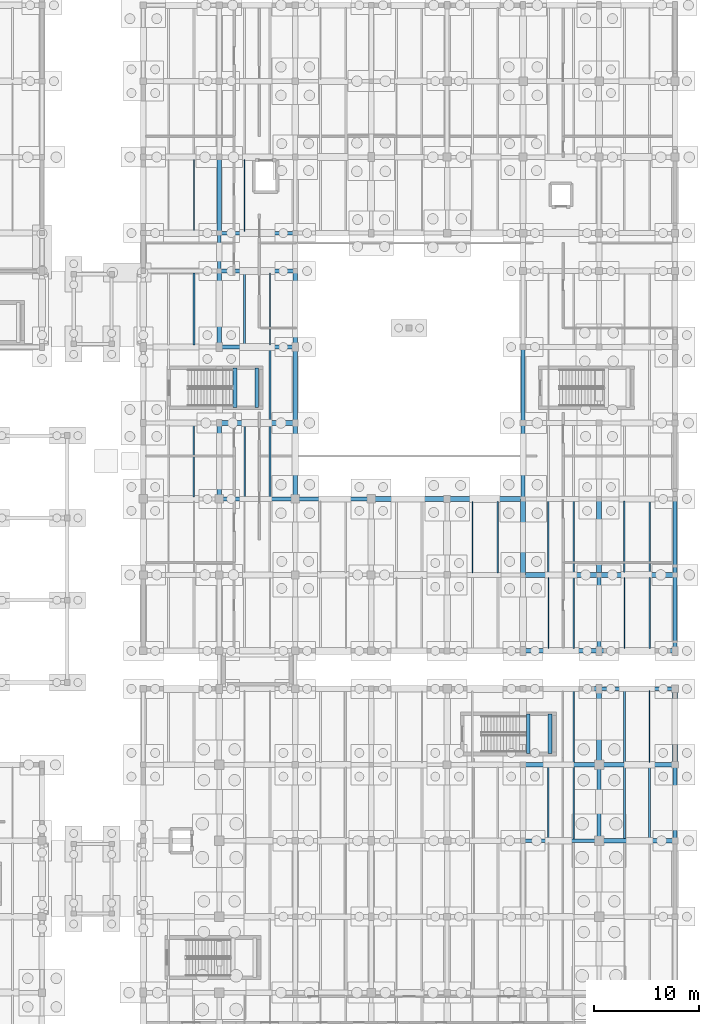
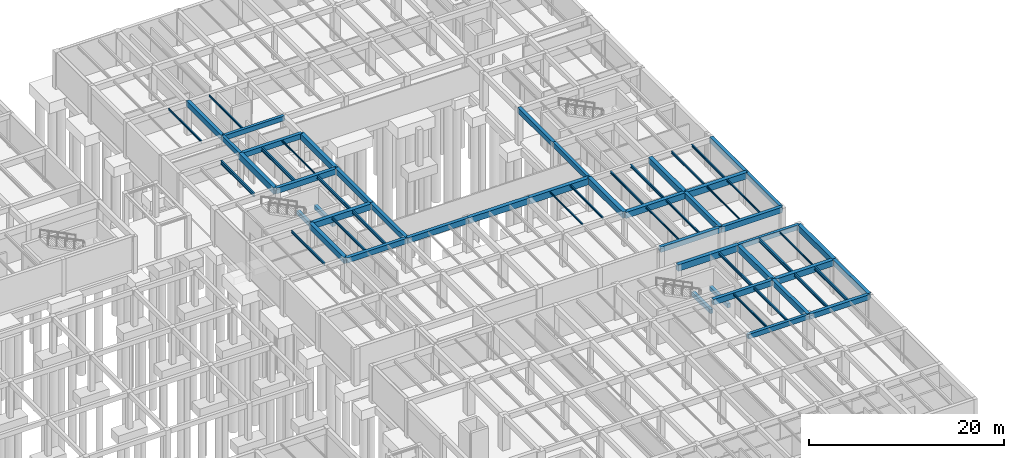
# One storey, part 36 of 63: 66 beams.
"""IFC4 building model written with IfcOpenShell, lengths in metres."""

from ifc_helpers import new_model, si_unit, direction, frame, origin, origin_2d, place, context, subcontext, project, spatial, rectangle, i_section, extrude, material, material_profile, profile_set, type_object, element, save


model = new_model("IFC4")

# Units and contexts
model_context = context("Model", 3, precision=1e-05, world=origin(), true_north=direction((0.0, 1.0)))
body_context = subcontext(model_context, "Body", "Model", "MODEL_VIEW")
ifc_project = project(units=[si_unit("LENGTHUNIT", "METRE"), si_unit("AREAUNIT", "SQUARE_METRE"), si_unit("VOLUMEUNIT", "CUBIC_METRE"), si_unit("PLANEANGLEUNIT", "RADIAN"), si_unit("MASSUNIT", "GRAM", prefix="KILO")], contexts=[model_context])

# Site, building, storey
site_placement = place(None, origin())
site = spatial("IfcSite", under=ifc_project, at=site_placement, CompositionType="ELEMENT")
building_placement = place(site_placement, origin())
building = spatial("IfcBuilding", under=site, at=building_placement, Name="Mazaris Harbour Polytechnic", CompositionType="ELEMENT")
storey_placement = place(building_placement, frame((0.0, 0.0, -4.5)))
storey = spatial("IfcBuildingStorey", under=building, at=storey_placement, Name="B1", CompositionType="ELEMENT", Elevation=-4.5)

# Beams
ifc_material_1 = material(Name="Concrete C35/45", Category="concrete")
ifc_material_profile_1 = material_profile(ifc_material_1, rectangle(XDim=0.35009765625, YDim=0.60009765625, at=origin_2d()), Name="RECT350x600")
ifc_profile_set_1 = profile_set([ifc_material_profile_1], Name="Concrete C35/45")
beam_type_1 = type_object("IfcBeamType", Name="RC Girder 350x600", PredefinedType="BEAM", material=ifc_profile_set_1)
beam_1_placement = place(storey_placement, frame((158.39990234375, 28.800048828125, 3.8798828125), z_axis=(1.0, 0.0, 0.0), x_axis=(0.0, 1.0, 0.0)))
element("IfcBeam", 1, at=beam_1_placement, inside=storey, type_object=beam_type_1, Name="V2 B1 Girder 305", PredefinedType="BEAM", context=body_context, shape_type="SweptSolid", body=[
    extrude(rectangle(XDim=0.35009765625, YDim=0.60009765625, at=origin_2d()), origin(), (0.0, 0.0, 1.0), 7.2001953125),
])
beam_2_placement = place(storey_placement, frame((129.60009765625, 86.39990234375, 3.8798828125), z_axis=(1.0, 0.0, 0.0), x_axis=(0.0, 1.0, 0.0)))
element("IfcBeam", 2, at=beam_2_placement, inside=storey, type_object=beam_type_1, Name="V5 B1 Girder 2520", PredefinedType="BEAM", context=body_context, shape_type="SweptSolid", body=[
    extrude(rectangle(XDim=0.35009765625, YDim=0.60009765625, at=origin_2d()), origin(), (0.0, 0.0, 1.0), 7.199951171875),
])
beam_3_placement = place(storey_placement, frame((129.60009765625, 82.800048828125, 3.8798828125), z_axis=(0.0, 1.0, 0.0), x_axis=(-1.0, 0.0, 0.0)))
element("IfcBeam", 3, at=beam_3_placement, inside=storey, type_object=beam_type_1, Name="V5 B1 Tie Girder 2560", PredefinedType="BEAM", context=body_context, shape_type="SweptSolid", body=[
    extrude(rectangle(XDim=0.35009765625, YDim=0.60009765625, at=origin_2d()), origin(), (0.0, 0.0, 1.0), 3.599853515625),
])
beam_4_placement = place(storey_placement, frame((158.39990234375, 61.199951171875, 3.8798828125), z_axis=(0.0, 1.0, 0.0), x_axis=(-1.0, 0.0, 0.0)))
element("IfcBeam", 4, at=beam_4_placement, inside=storey, type_object=beam_type_1, Name="V5 B1 Tie Girder 2585", PredefinedType="BEAM", context=body_context, shape_type="SweptSolid", body=[
    extrude(rectangle(XDim=0.35009765625, YDim=0.60009765625, at=origin_2d()), origin(), (0.0, 0.0, 1.0), 7.199951171875),
])
ifc_material_2 = material(Name="Concrete C35/45", Category="concrete")
ifc_material_profile_2 = material_profile(ifc_material_2, rectangle(XDim=0.35009765625, YDim=0.60009765625, at=origin_2d()), Name="RECT350x600")
ifc_profile_set_2 = profile_set([ifc_material_profile_2], Name="Concrete C35/45")
beam_type_2 = type_object("IfcBeamType", Name="RC Girder 350x600 Exterior", PredefinedType="BEAM", material=ifc_profile_set_2)
for number, where, z_axis, x_axis, name in (
    (5, (165.60009765625, 43.199951171875, 3.8798828125), (1.0, 0.0, 0.0), (0.0, 1.0, 0.0), "V2 B1 Girder 320"),
    (6, (172.800048828125, 46.800048828125, 3.8798828125), (0.0, 1.0, 0.0), (-1.0, 0.0, 0.0), "V5 B1 Tie Girder 2600"),
):
    element("IfcBeam", number, at=place(storey_placement, frame(where, z_axis=z_axis, x_axis=x_axis)), inside=storey, type_object=beam_type_2, Name=name, PredefinedType="BEAM", context=body_context, shape_type="SweptSolid", body=[
        extrude(rectangle(XDim=0.35009765625, YDim=0.60009765625, at=origin_2d()), origin(), (0.0, 0.0, 1.0), 7.199951171875),
    ])
ifc_material_3 = material(Name="Concrete C35/45", Category="concrete")
ifc_material_profile_3 = material_profile(ifc_material_3, rectangle(XDim=0.39990234375, YDim=0.64990234375, at=origin_2d()), Name="RECT400x650")
ifc_profile_set_3 = profile_set([ifc_material_profile_3], Name="Concrete C35/45")
beam_type_3 = type_object("IfcBeamType", Name="RC Girder 400x650", PredefinedType="BEAM", material=ifc_profile_set_3)
for number, where, z_axis, x_axis, name in (
    (7, (165.60009765625, 28.800048828125, 3.85498046875), (1.0, 0.0, 0.0), (0.0, 1.0, 0.0), "V2 B1 Girder 306"),
    (8, (129.60009765625, 61.199951171875, 3.85498046875), (1.0, 0.0, 0.0), (0.0, 1.0, 0.0), "V5 B1 Girder 2501"),
    (9, (129.60009765625, 82.800048828125, 3.85498046875), (1.0, 0.0, 0.0), (0.0, 1.0, 0.0), "V5 B1 Girder 2516"),
):
    element("IfcBeam", number, at=place(storey_placement, frame(where, z_axis=z_axis, x_axis=x_axis)), inside=storey, type_object=beam_type_3, Name=name, PredefinedType="BEAM", context=body_context, shape_type="SweptSolid", body=[
        extrude(rectangle(XDim=0.39990234375, YDim=0.64990234375, at=origin_2d()), origin(), (0.0, 0.0, 1.0), 7.199951171875),
    ])
beam_5_placement = place(storey_placement, frame((129.60009765625, 86.39990234375, 3.85498046875), z_axis=(0.0, 1.0, 0.0), x_axis=(-1.0, 0.0, 0.0)))
element("IfcBeam", 10, at=beam_5_placement, inside=storey, type_object=beam_type_3, Name="V5 B1 Tie Girder 2561", PredefinedType="BEAM", context=body_context, shape_type="SweptSolid", body=[
    extrude(rectangle(XDim=0.39990234375, YDim=0.64990234375, at=origin_2d()), origin(), (0.0, 0.0, 1.0), 7.2001953125),
])
beam_6_placement = place(storey_placement, frame((136.800048828125, 61.199951171875, 3.85498046875), z_axis=(0.0, 1.0, 0.0), x_axis=(-1.0, 0.0, 0.0)))
element("IfcBeam", 11, at=beam_6_placement, inside=storey, type_object=beam_type_3, Name="V5 B1 Tie Girder 2566", PredefinedType="BEAM", context=body_context, shape_type="SweptSolid", body=[
    extrude(rectangle(XDim=0.39990234375, YDim=0.64990234375, at=origin_2d()), origin(), (0.0, 0.0, 1.0), 7.199951171875),
])
beam_7_placement = place(storey_placement, frame((158.39990234375, 68.39990234375, 3.85498046875), z_axis=(0.0, 1.0, 0.0), x_axis=(-1.0, 0.0, 0.0)))
element("IfcBeam", 12, at=beam_7_placement, inside=storey, type_object=beam_type_3, Name="V5 B1 Tie Girder 2586", PredefinedType="BEAM", context=body_context, shape_type="SweptSolid", body=[
    extrude(rectangle(XDim=0.39990234375, YDim=0.64990234375, at=origin_2d()), origin(), (0.0, 0.0, 1.0), 7.2001953125),
])
ifc_material_4 = material(Name="Concrete C35/45", Category="concrete")
ifc_material_profile_4 = material_profile(ifc_material_4, rectangle(XDim=0.39990234375, YDim=0.64990234375, at=origin_2d()), Name="RECT400x650")
ifc_profile_set_4 = profile_set([ifc_material_profile_4], Name="Concrete C35/45")
beam_type_4 = type_object("IfcBeamType", Name="RC Girder 400x650 Exterior", PredefinedType="BEAM", material=ifc_profile_set_4)
beam_8_placement = place(storey_placement, frame((158.39990234375, 46.800048828125, 3.85498046875), z_axis=(1.0, 0.0, 0.0), x_axis=(0.0, 1.0, 0.0)))
element("IfcBeam", 13, at=beam_8_placement, inside=storey, type_object=beam_type_4, Name="V5 B1 Girder 2491", PredefinedType="BEAM", context=body_context, shape_type="SweptSolid", body=[
    extrude(rectangle(XDim=0.39990234375, YDim=0.64990234375, at=origin_2d()), origin(), (0.0, 0.0, 1.0), 7.2001953125),
])
beam_9_placement = place(storey_placement, frame((172.800048828125, 54.0, 3.85498046875), z_axis=(0.0, 1.0, 0.0), x_axis=(-1.0, 0.0, 0.0)))
element("IfcBeam", 14, at=beam_9_placement, inside=storey, type_object=beam_type_4, Name="V5 B1 Tie Girder 2601", PredefinedType="BEAM", context=body_context, shape_type="SweptSolid", body=[
    extrude(rectangle(XDim=0.39990234375, YDim=0.64990234375, at=origin_2d()), origin(), (0.0, 0.0, 1.0), 7.199951171875),
])
ifc_material_5 = material(Name="Concrete C35/45", Category="concrete")
ifc_material_profile_5 = material_profile(ifc_material_5, rectangle(XDim=0.39990234375, YDim=0.699951171875, at=origin_2d()), Name="RECT400x700")
ifc_profile_set_5 = profile_set([ifc_material_profile_5], Name="Concrete C35/45")
beam_type_5 = type_object("IfcBeamType", Name="RC Girder 400x700", PredefinedType="BEAM", material=ifc_profile_set_5)
beam_10_placement = place(storey_placement, frame((158.39990234375, 36.0, 3.830078125), z_axis=(1.0, 0.0, 0.0), x_axis=(0.0, 1.0, 0.0)))
element("IfcBeam", 15, at=beam_10_placement, inside=storey, type_object=beam_type_5, Name="V2 B1 Girder 312", PredefinedType="BEAM", context=body_context, shape_type="SweptSolid", body=[
    extrude(rectangle(XDim=0.39990234375, YDim=0.699951171875, at=origin_2d()), origin(), (0.0, 0.0, 1.0), 7.2001953125),
])
for number, where, z_axis, x_axis, name in (
    (16, (165.60009765625, 28.800048828125, 3.830078125), (0.0, 1.0, 0.0), (-1.0, 0.0, 0.0), "V2 B1 Tie Girder 352"),
    (17, (136.800048828125, 61.199951171875, 3.830078125), (1.0, 0.0, 0.0), (0.0, 1.0, 0.0), "V5 B1 Girder 2502"),
    (18, (129.60009765625, 75.60009765625, 3.830078125), (1.0, 0.0, 0.0), (0.0, 1.0, 0.0), "V5 B1 Girder 2512"),
):
    element("IfcBeam", number, at=place(storey_placement, frame(where, z_axis=z_axis, x_axis=x_axis)), inside=storey, type_object=beam_type_5, Name=name, PredefinedType="BEAM", context=body_context, shape_type="SweptSolid", body=[
        extrude(rectangle(XDim=0.39990234375, YDim=0.699951171875, at=origin_2d()), origin(), (0.0, 0.0, 1.0), 7.199951171875),
    ])
beam_11_placement = place(storey_placement, frame((136.800048828125, 68.39990234375, 3.830078125), z_axis=(0.0, 1.0, 0.0), x_axis=(-1.0, 0.0, 0.0)))
element("IfcBeam", 19, at=beam_11_placement, inside=storey, type_object=beam_type_5, Name="V5 B1 Tie Girder 2567", PredefinedType="BEAM", context=body_context, shape_type="SweptSolid", body=[
    extrude(rectangle(XDim=0.39990234375, YDim=0.699951171875, at=origin_2d()), origin(), (0.0, 0.0, 1.0), 7.2001953125),
])
beam_12_placement = place(storey_placement, frame((165.60009765625, 46.800048828125, 3.830078125), z_axis=(0.0, 1.0, 0.0), x_axis=(-1.0, 0.0, 0.0)))
element("IfcBeam", 20, at=beam_12_placement, inside=storey, type_object=beam_type_5, Name="V5 B1 Tie Girder 2592", PredefinedType="BEAM", context=body_context, shape_type="SweptSolid", body=[
    extrude(rectangle(XDim=0.39990234375, YDim=0.699951171875, at=origin_2d()), origin(), (0.0, 0.0, 1.0), 7.199951171875),
])
ifc_material_6 = material(Name="Concrete C35/45", Category="concrete")
ifc_material_profile_6 = material_profile(ifc_material_6, rectangle(XDim=0.39990234375, YDim=0.699951171875, at=origin_2d()), Name="RECT400x700")
ifc_profile_set_6 = profile_set([ifc_material_profile_6], Name="Concrete C35/45")
beam_type_6 = type_object("IfcBeamType", Name="RC Girder 400x700 Exterior", PredefinedType="BEAM", material=ifc_profile_set_6)
for number, where, z_axis, x_axis, name in (
    (21, (172.800048828125, 28.800048828125, 3.830078125), (0.0, 1.0, 0.0), (-1.0, 0.0, 0.0), "V2 B1 Tie Girder 357"),
    (22, (165.60009765625, 46.800048828125, 3.830078125), (1.0, 0.0, 0.0), (0.0, 1.0, 0.0), "V5 B1 Girder 2492"),
):
    element("IfcBeam", number, at=place(storey_placement, frame(where, z_axis=z_axis, x_axis=x_axis)), inside=storey, type_object=beam_type_6, Name=name, PredefinedType="BEAM", context=body_context, shape_type="SweptSolid", body=[
        extrude(rectangle(XDim=0.39990234375, YDim=0.699951171875, at=origin_2d()), origin(), (0.0, 0.0, 1.0), 7.199951171875),
    ])
ifc_material_7 = material(Name="Concrete C40/50", Category="concrete")
ifc_material_profile_7 = material_profile(ifc_material_7, rectangle(XDim=0.449951171875, YDim=0.75, at=origin_2d()), Name="RECT450x750")
ifc_profile_set_7 = profile_set([ifc_material_profile_7], Name="Concrete C40/50")
beam_type_7 = type_object("IfcBeamType", Name="RC Girder 450x750", PredefinedType="BEAM", material=ifc_profile_set_7)
for number, where, z_axis, x_axis, name in (
    (23, (165.60009765625, 36.0, 3.804931640625), (1.0, 0.0, 0.0), (0.0, 1.0, 0.0), "V2 B1 Girder 313"),
    (24, (165.60009765625, 36.0, 3.804931640625), (0.0, 1.0, 0.0), (-1.0, 0.0, 0.0), "V2 B1 Tie Girder 353"),
):
    element("IfcBeam", number, at=place(storey_placement, frame(where, z_axis=z_axis, x_axis=x_axis)), inside=storey, type_object=beam_type_7, Name=name, PredefinedType="BEAM", context=body_context, shape_type="SweptSolid", body=[
        extrude(rectangle(XDim=0.449951171875, YDim=0.75, at=origin_2d()), origin(), (0.0, 0.0, 1.0), 7.199951171875),
    ])
beam_13_placement = place(storey_placement, frame((158.39990234375, 54.0, 3.804931640625), z_axis=(1.0, 0.0, 0.0), x_axis=(0.0, 1.0, 0.0)))
element("IfcBeam", 25, at=beam_13_placement, inside=storey, type_object=beam_type_7, Name="V5 B1 Girder 2498", PredefinedType="BEAM", context=body_context, shape_type="SweptSolid", body=[
    extrude(rectangle(XDim=0.449951171875, YDim=0.75, at=origin_2d()), origin(), (0.0, 0.0, 1.0), 7.2001953125),
])
for number, where, z_axis, x_axis, name in (
    (26, (144.0, 61.199951171875, 3.804931640625), (1.0, 0.0, 0.0), (0.0, 1.0, 0.0), "V5 B1 Girder 2503"),
    (27, (129.60009765625, 68.39990234375, 3.804931640625), (1.0, 0.0, 0.0), (0.0, 1.0, 0.0), "V5 B1 Girder 2508"),
    (28, (129.60009765625, 61.199951171875, 3.804931640625), (0.0, 1.0, 0.0), (-1.0, 0.0, 0.0), "V5 B1 Tie Girder 2558"),
    (29, (136.800048828125, 75.60009765625, 3.804931640625), (0.0, 1.0, 0.0), (-1.0, 0.0, 0.0), "V5 B1 Tie Girder 2568"),
    (30, (165.60009765625, 54.0, 3.804931640625), (0.0, 1.0, 0.0), (-1.0, 0.0, 0.0), "V5 B1 Tie Girder 2593"),
):
    element("IfcBeam", number, at=place(storey_placement, frame(where, z_axis=z_axis, x_axis=x_axis)), inside=storey, type_object=beam_type_7, Name=name, PredefinedType="BEAM", context=body_context, shape_type="SweptSolid", body=[
        extrude(rectangle(XDim=0.449951171875, YDim=0.75, at=origin_2d()), origin(), (0.0, 0.0, 1.0), 7.199951171875),
    ])
ifc_material_8 = material(Name="Concrete C40/50", Category="concrete")
ifc_material_profile_8 = material_profile(ifc_material_8, rectangle(XDim=0.449951171875, YDim=0.75, at=origin_2d()), Name="RECT450x750")
ifc_profile_set_8 = profile_set([ifc_material_profile_8], Name="Concrete C40/50")
beam_type_8 = type_object("IfcBeamType", Name="RC Girder 450x750 Exterior", PredefinedType="BEAM", material=ifc_profile_set_8)
beam_14_placement = place(storey_placement, frame((172.800048828125, 36.0, 3.804931640625), z_axis=(0.0, 1.0, 0.0), x_axis=(-1.0, 0.0, 0.0)))
element("IfcBeam", 31, at=beam_14_placement, inside=storey, type_object=beam_type_8, Name="V2 B1 Tie Girder 358", PredefinedType="BEAM", context=body_context, shape_type="SweptSolid", body=[
    extrude(rectangle(XDim=0.449951171875, YDim=0.75, at=origin_2d()), origin(), (0.0, 0.0, 1.0), 7.199951171875),
])
ifc_material_9 = material(Name="Concrete C40/50", Category="concrete")
ifc_material_profile_9 = material_profile(ifc_material_9, rectangle(XDim=0.449951171875, YDim=0.800048828125, at=origin_2d()), Name="RECT450x800")
ifc_profile_set_9 = profile_set([ifc_material_profile_9], Name="Concrete C40/50")
beam_type_9 = type_object("IfcBeamType", Name="RC Girder 450x800", PredefinedType="BEAM", material=ifc_profile_set_9)
for number, where, z_axis, x_axis, name in (
    (32, (165.60009765625, 54.0, 3.780029296875), (1.0, 0.0, 0.0), (0.0, 1.0, 0.0), "V5 B1 Girder 2499"),
    (33, (151.199951171875, 61.199951171875, 3.780029296875), (1.0, 0.0, 0.0), (0.0, 1.0, 0.0), "V5 B1 Girder 2504"),
    (34, (129.60009765625, 75.60009765625, 3.780029296875), (0.0, 1.0, 0.0), (-1.0, 0.0, 0.0), "V5 B1 Tie Girder 2559"),
    (35, (158.39990234375, 54.0, 3.780029296875), (0.0, 1.0, 0.0), (-1.0, 0.0, 0.0), "V5 B1 Tie Girder 2584"),
):
    element("IfcBeam", number, at=place(storey_placement, frame(where, z_axis=z_axis, x_axis=x_axis)), inside=storey, type_object=beam_type_9, Name=name, PredefinedType="BEAM", context=body_context, shape_type="SweptSolid", body=[
        extrude(rectangle(XDim=0.449951171875, YDim=0.800048828125, at=origin_2d()), origin(), (0.0, 0.0, 1.0), 7.199951171875),
    ])
ifc_material_10 = material(Name="Concrete C40/50", Category="concrete")
ifc_material_profile_10 = material_profile(ifc_material_10, rectangle(XDim=0.449951171875, YDim=0.800048828125, at=origin_2d()), Name="RECT450x800")
ifc_profile_set_10 = profile_set([ifc_material_profile_10], Name="Concrete C40/50")
beam_type_10 = type_object("IfcBeamType", Name="RC Girder 450x800 Exterior", PredefinedType="BEAM", material=ifc_profile_set_10)
beam_15_placement = place(storey_placement, frame((158.39990234375, 43.199951171875, 3.780029296875), z_axis=(1.0, 0.0, 0.0), x_axis=(0.0, 1.0, 0.0)))
element("IfcBeam", 36, at=beam_15_placement, inside=storey, type_object=beam_type_10, Name="V2 B1 Girder 319", PredefinedType="BEAM", context=body_context, shape_type="SweptSolid", body=[
    extrude(rectangle(XDim=0.449951171875, YDim=0.800048828125, at=origin_2d()), origin(), (0.0, 0.0, 1.0), 7.2001953125),
])
ifc_material_11 = material(Name="Concrete C40/50", Category="concrete")
ifc_material_profile_11 = material_profile(ifc_material_11, rectangle(XDim=0.35009765625, YDim=0.52001953125, at=origin_2d()), Name="RECT350x520")
ifc_profile_set_11 = profile_set([ifc_material_profile_11], Name="Concrete C40/50")
beam_type_11 = type_object("IfcBeamType", Name="RC Landing Bearer 350x520", PredefinedType="BEAM", material=ifc_profile_set_11)
for number, where, z_axis, x_axis, name in (
    (37, (158.89990234375, 37.050048828125, 1.7900390625), (0.0, 1.0, 0.0), (-1.0, 0.0, 0.0), "Core ST04 B1 Landing Bearer"),
    (38, (160.949951171875, 37.050048828125, 1.7900390625), (0.0, 1.0, 0.0), (-1.0, 0.0, 0.0), "Core ST04 B1 Landing Bearer"),
    (39, (131.10009765625, 69.85009765625, 1.7900390625), (0.0, 1.0, 0.0), (-1.0, 0.0, 0.0), "Core ST09 B1 Landing Bearer"),
    (40, (133.14990234375, 69.85009765625, 1.7900390625), (0.0, 1.0, 0.0), (-1.0, 0.0, 0.0), "Core ST09 B1 Landing Bearer"),
):
    element("IfcBeam", number, at=place(storey_placement, frame(where, z_axis=z_axis, x_axis=x_axis)), inside=storey, type_object=beam_type_11, Name=name, PredefinedType="BEAM", context=body_context, shape_type="SweptSolid", body=[
        extrude(rectangle(XDim=0.35009765625, YDim=0.52001953125, at=origin_2d()), origin(), (0.0, 0.0, 1.0), 3.75),
    ])
ifc_material_12 = material(Name="Steel S355", Category="steel")
ifc_material_profile_12 = material_profile(ifc_material_12, i_section(OverallWidth=0.10009765625, OverallDepth=0.199951171875, WebThickness=0.005615234375, FlangeThickness=0.008544921875, FilletRadius=0.011962890625, at=origin_2d()), Name="IPE 200")
ifc_profile_set_12 = profile_set([ifc_material_profile_12], Name="Steel S355")
beam_type_12 = type_object("IfcBeamType", Name="Steel Joist IPE200", PredefinedType="JOIST", material=ifc_profile_set_12)
beam_16_placement = place(storey_placement, frame((170.39990234375, 36.22509765625, 4.080078125), z_axis=(0.0, 1.0, 0.0), x_axis=(-1.0, 0.0, 0.0)))
element("IfcBeam", 41, at=beam_16_placement, inside=storey, type_object=beam_type_12, Name="V2 B1 Floor Joist 420", PredefinedType="JOIST", context=body_context, shape_type="SweptSolid", body=[
    extrude(i_section(OverallWidth=0.10009765625, OverallDepth=0.199951171875, WebThickness=0.005615234375, FlangeThickness=0.008544921875, FilletRadius=0.011962890625, at=origin_2d()), origin(), (0.0, 0.0, 1.0), 6.7998046875),
])
beam_17_placement = place(storey_placement, frame((134.39990234375, 75.800048828125, 4.080078125), z_axis=(0.0, 1.0, 0.0), x_axis=(-1.0, 0.0, 0.0)))
element("IfcBeam", 42, at=beam_17_placement, inside=storey, type_object=beam_type_12, Name="V5 B1 Floor Joist 2632", PredefinedType="JOIST", context=body_context, shape_type="SweptSolid", body=[
    extrude(i_section(OverallWidth=0.10009765625, OverallDepth=0.199951171875, WebThickness=0.005615234375, FlangeThickness=0.008544921875, FilletRadius=0.011962890625, at=origin_2d()), origin(), (0.0, 0.0, 1.0), 6.800048828125),
])
beam_18_placement = place(storey_placement, frame((153.60009765625, 54.199951171875, 4.080078125), z_axis=(0.0, 1.0, 0.0), x_axis=(-1.0, 0.0, 0.0)))
element("IfcBeam", 43, at=beam_18_placement, inside=storey, type_object=beam_type_12, Name="V5 B1 Floor Joist 2660", PredefinedType="JOIST", context=body_context, shape_type="SweptSolid", body=[
    extrude(i_section(OverallWidth=0.10009765625, OverallDepth=0.199951171875, WebThickness=0.005615234375, FlangeThickness=0.008544921875, FilletRadius=0.011962890625, at=origin_2d()), origin(), (0.0, 0.0, 1.0), 6.775146484375),
])
beam_19_placement = place(storey_placement, frame((168.0, 47.0, 4.080078125), z_axis=(0.0, 1.0, 0.0), x_axis=(-1.0, 0.0, 0.0)))
element("IfcBeam", 44, at=beam_19_placement, inside=storey, type_object=beam_type_12, Name="V5 B1 Floor Joist 2681", PredefinedType="JOIST", context=body_context, shape_type="SweptSolid", body=[
    extrude(i_section(OverallWidth=0.10009765625, OverallDepth=0.199951171875, WebThickness=0.005615234375, FlangeThickness=0.008544921875, FilletRadius=0.011962890625, at=origin_2d()), origin(), (0.0, 0.0, 1.0), 6.77490234375),
])
ifc_material_13 = material(Name="Steel S355", Category="steel")
ifc_material_profile_13 = material_profile(ifc_material_13, i_section(OverallWidth=0.1201171875, OverallDepth=0.239990234375, WebThickness=0.006103515625, FlangeThickness=0.009765625, FilletRadius=0.014892578125, at=origin_2d()), Name="IPE 240")
ifc_profile_set_13 = profile_set([ifc_material_profile_13], Name="Steel S355")
beam_type_13 = type_object("IfcBeamType", Name="Steel Joist IPE240", PredefinedType="JOIST", material=ifc_profile_set_13)
beam_20_placement = place(storey_placement, frame((127.199951171875, 86.625, 4.06005859375), z_axis=(0.0, 1.0, 0.0), x_axis=(-1.0, 0.0, 0.0)))
element("IfcBeam", 45, at=beam_20_placement, inside=storey, type_object=beam_type_13, Name="V5 B1 Floor Joist 2619", PredefinedType="JOIST", context=body_context, shape_type="SweptSolid", body=[
    extrude(i_section(OverallWidth=0.1201171875, OverallDepth=0.239990234375, WebThickness=0.006103515625, FlangeThickness=0.009765625, FilletRadius=0.014892578125, at=origin_2d()), origin(), (0.0, 0.0, 1.0), 6.77490234375),
])
beam_21_placement = place(storey_placement, frame((132.0, 86.574951171875, 4.06005859375), z_axis=(0.0, 1.0, 0.0), x_axis=(-1.0, 0.0, 0.0)))
element("IfcBeam", 46, at=beam_21_placement, inside=storey, type_object=beam_type_13, Name="V5 B1 Floor Joist 2633", PredefinedType="JOIST", context=body_context, shape_type="SweptSolid", body=[
    extrude(i_section(OverallWidth=0.1201171875, OverallDepth=0.239990234375, WebThickness=0.006103515625, FlangeThickness=0.009765625, FilletRadius=0.014892578125, at=origin_2d()), origin(), (0.0, 0.0, 1.0), 6.824951171875),
])
beam_22_placement = place(storey_placement, frame((156.0, 54.199951171875, 4.06005859375), z_axis=(0.0, 1.0, 0.0), x_axis=(-1.0, 0.0, 0.0)))
element("IfcBeam", 47, at=beam_22_placement, inside=storey, type_object=beam_type_13, Name="V5 B1 Floor Joist 2661", PredefinedType="JOIST", context=body_context, shape_type="SweptSolid", body=[
    extrude(i_section(OverallWidth=0.1201171875, OverallDepth=0.239990234375, WebThickness=0.006103515625, FlangeThickness=0.009765625, FilletRadius=0.014892578125, at=origin_2d()), origin(), (0.0, 0.0, 1.0), 6.775146484375),
])
for number, where, z_axis, x_axis, name in (
    (48, (160.800048828125, 47.0, 4.06005859375), (0.0, 1.0, 0.0), (-1.0, 0.0, 0.0), "V5 B1 Floor Joist 2668"),
    (49, (170.39990234375, 47.0, 4.06005859375), (0.0, 1.0, 0.0), (-1.0, 0.0, 0.0), "V5 B1 Floor Joist 2682"),
):
    element("IfcBeam", number, at=place(storey_placement, frame(where, z_axis=z_axis, x_axis=x_axis)), inside=storey, type_object=beam_type_13, Name=name, PredefinedType="JOIST", context=body_context, shape_type="SweptSolid", body=[
        extrude(i_section(OverallWidth=0.1201171875, OverallDepth=0.239990234375, WebThickness=0.006103515625, FlangeThickness=0.009765625, FilletRadius=0.014892578125, at=origin_2d()), origin(), (0.0, 0.0, 1.0), 6.77490234375),
    ])
ifc_material_14 = material(Name="Steel S355", Category="steel")
ifc_material_profile_14 = material_profile(ifc_material_14, i_section(OverallWidth=0.135009765625, OverallDepth=0.27001953125, WebThickness=0.006591796875, FlangeThickness=0.01025390625, FilletRadius=0.014892578125, at=origin_2d()), Name="IPE 270")
ifc_profile_set_14 = profile_set([ifc_material_profile_14], Name="Steel S355")
beam_type_14 = type_object("IfcBeamType", Name="Steel Joist IPE270", PredefinedType="JOIST", material=ifc_profile_set_14)
beam_23_placement = place(storey_placement, frame((160.800048828125, 28.97509765625, 4.044921875), z_axis=(0.0, 1.0, 0.0), x_axis=(-1.0, 0.0, 0.0)))
element("IfcBeam", 50, at=beam_23_placement, inside=storey, type_object=beam_type_14, Name="V2 B1 Floor Joist 408", PredefinedType="JOIST", context=body_context, shape_type="SweptSolid", body=[
    extrude(i_section(OverallWidth=0.135009765625, OverallDepth=0.27001953125, WebThickness=0.006591796875, FlangeThickness=0.01025390625, FilletRadius=0.014892578125, at=origin_2d()), origin(), (0.0, 0.0, 1.0), 6.824951171875),
])
for number, where, z_axis, x_axis, name in (
    (51, (163.199951171875, 47.0, 4.044921875), (0.0, 1.0, 0.0), (-1.0, 0.0, 0.0), "V5 B1 Floor Joist 2669"),
    (52, (168.0, 54.22509765625, 4.044921875), (0.0, 1.0, 0.0), (-1.0, 0.0, 0.0), "V5 B1 Floor Joist 2683"),
):
    element("IfcBeam", number, at=place(storey_placement, frame(where, z_axis=z_axis, x_axis=x_axis)), inside=storey, type_object=beam_type_14, Name=name, PredefinedType="JOIST", context=body_context, shape_type="SweptSolid", body=[
        extrude(i_section(OverallWidth=0.135009765625, OverallDepth=0.27001953125, WebThickness=0.006591796875, FlangeThickness=0.01025390625, FilletRadius=0.014892578125, at=origin_2d()), origin(), (0.0, 0.0, 1.0), 6.77490234375),
    ])
ifc_material_15 = material(Name="Steel S355", Category="steel")
ifc_material_profile_15 = material_profile(ifc_material_15, i_section(OverallWidth=0.14990234375, OverallDepth=0.300048828125, WebThickness=0.007080078125, FlangeThickness=0.0107421875, FilletRadius=0.014892578125, at=origin_2d()), Name="IPE 300")
ifc_profile_set_15 = profile_set([ifc_material_profile_15], Name="Steel S355")
beam_type_15 = type_object("IfcBeamType", Name="Steel Joist IPE300", PredefinedType="JOIST", material=ifc_profile_set_15)
for number, where, z_axis, x_axis, name in (
    (53, (163.199951171875, 28.97509765625, 4.030029296875), (0.0, 1.0, 0.0), (-1.0, 0.0, 0.0), "V2 B1 Floor Joist 409"),
    (54, (127.199951171875, 61.375, 4.030029296875), (0.0, 1.0, 0.0), (-1.0, 0.0, 0.0), "V5 B1 Floor Joist 2614"),
):
    element("IfcBeam", number, at=place(storey_placement, frame(where, z_axis=z_axis, x_axis=x_axis)), inside=storey, type_object=beam_type_15, Name=name, PredefinedType="JOIST", context=body_context, shape_type="SweptSolid", body=[
        extrude(i_section(OverallWidth=0.14990234375, OverallDepth=0.300048828125, WebThickness=0.007080078125, FlangeThickness=0.0107421875, FilletRadius=0.014892578125, at=origin_2d()), origin(), (0.0, 0.0, 1.0), 6.824951171875),
    ])
beam_24_placement = place(storey_placement, frame((132.0, 61.39990234375, 4.030029296875), z_axis=(0.0, 1.0, 0.0), x_axis=(-1.0, 0.0, 0.0)))
element("IfcBeam", 55, at=beam_24_placement, inside=storey, type_object=beam_type_15, Name="V5 B1 Floor Joist 2628", PredefinedType="JOIST", context=body_context, shape_type="SweptSolid", body=[
    extrude(i_section(OverallWidth=0.14990234375, OverallDepth=0.300048828125, WebThickness=0.007080078125, FlangeThickness=0.0107421875, FilletRadius=0.014892578125, at=origin_2d()), origin(), (0.0, 0.0, 1.0), 6.775146484375),
])
beam_25_placement = place(storey_placement, frame((160.800048828125, 54.22509765625, 4.030029296875), z_axis=(0.0, 1.0, 0.0), x_axis=(-1.0, 0.0, 0.0)))
element("IfcBeam", 56, at=beam_25_placement, inside=storey, type_object=beam_type_15, Name="V5 B1 Floor Joist 2670", PredefinedType="JOIST", context=body_context, shape_type="SweptSolid", body=[
    extrude(i_section(OverallWidth=0.14990234375, OverallDepth=0.300048828125, WebThickness=0.007080078125, FlangeThickness=0.0107421875, FilletRadius=0.014892578125, at=origin_2d()), origin(), (0.0, 0.0, 1.0), 6.7998046875),
])
beam_26_placement = place(storey_placement, frame((170.39990234375, 54.22509765625, 4.030029296875), z_axis=(0.0, 1.0, 0.0), x_axis=(-1.0, 0.0, 0.0)))
element("IfcBeam", 57, at=beam_26_placement, inside=storey, type_object=beam_type_15, Name="V5 B1 Floor Joist 2684", PredefinedType="JOIST", context=body_context, shape_type="SweptSolid", body=[
    extrude(i_section(OverallWidth=0.14990234375, OverallDepth=0.300048828125, WebThickness=0.007080078125, FlangeThickness=0.0107421875, FilletRadius=0.014892578125, at=origin_2d()), origin(), (0.0, 0.0, 1.0), 6.77490234375),
])
ifc_material_16 = material(Name="Steel S355", Category="steel")
ifc_material_profile_16 = material_profile(ifc_material_16, i_section(OverallWidth=0.169921875, OverallDepth=0.360107421875, WebThickness=0.008056640625, FlangeThickness=0.0126953125, FilletRadius=0.01806640625, at=origin_2d()), Name="IPE 360")
ifc_profile_set_16 = profile_set([ifc_material_profile_16], Name="Steel S355")
beam_type_16 = type_object("IfcBeamType", Name="Steel Joist IPE360", PredefinedType="JOIST", material=ifc_profile_set_16)
beam_27_placement = place(storey_placement, frame((163.199951171875, 36.199951171875, 4.0), z_axis=(0.0, 1.0, 0.0), x_axis=(-1.0, 0.0, 0.0)))
element("IfcBeam", 58, at=beam_27_placement, inside=storey, type_object=beam_type_16, Name="V2 B1 Floor Joist 410", PredefinedType="JOIST", context=body_context, shape_type="SweptSolid", body=[
    extrude(i_section(OverallWidth=0.169921875, OverallDepth=0.360107421875, WebThickness=0.008056640625, FlangeThickness=0.0126953125, FilletRadius=0.01806640625, at=origin_2d()), origin(), (0.0, 0.0, 1.0), 6.775146484375),
])
beam_28_placement = place(storey_placement, frame((168.0, 29.0, 4.0), z_axis=(0.0, 1.0, 0.0), x_axis=(-1.0, 0.0, 0.0)))
element("IfcBeam", 59, at=beam_28_placement, inside=storey, type_object=beam_type_16, Name="V2 B1 Floor Joist 417", PredefinedType="JOIST", context=body_context, shape_type="SweptSolid", body=[
    extrude(i_section(OverallWidth=0.169921875, OverallDepth=0.360107421875, WebThickness=0.008056640625, FlangeThickness=0.0126953125, FilletRadius=0.01806640625, at=origin_2d()), origin(), (0.0, 0.0, 1.0), 6.77490234375),
])
beam_29_placement = place(storey_placement, frame((134.39990234375, 61.39990234375, 4.0), z_axis=(0.0, 1.0, 0.0), x_axis=(-1.0, 0.0, 0.0)))
element("IfcBeam", 60, at=beam_29_placement, inside=storey, type_object=beam_type_16, Name="V5 B1 Floor Joist 2629", PredefinedType="JOIST", context=body_context, shape_type="SweptSolid", body=[
    extrude(i_section(OverallWidth=0.169921875, OverallDepth=0.360107421875, WebThickness=0.008056640625, FlangeThickness=0.0126953125, FilletRadius=0.01806640625, at=origin_2d()), origin(), (0.0, 0.0, 1.0), 6.775146484375),
])
beam_30_placement = place(storey_placement, frame((163.199951171875, 54.22509765625, 4.0), z_axis=(0.0, 1.0, 0.0), x_axis=(-1.0, 0.0, 0.0)))
element("IfcBeam", 61, at=beam_30_placement, inside=storey, type_object=beam_type_16, Name="V5 B1 Floor Joist 2671", PredefinedType="JOIST", context=body_context, shape_type="SweptSolid", body=[
    extrude(i_section(OverallWidth=0.169921875, OverallDepth=0.360107421875, WebThickness=0.008056640625, FlangeThickness=0.0126953125, FilletRadius=0.01806640625, at=origin_2d()), origin(), (0.0, 0.0, 1.0), 6.7998046875),
])
ifc_material_17 = material(Name="Steel S355", Category="steel")
ifc_material_profile_17 = material_profile(ifc_material_17, i_section(OverallWidth=0.179931640625, OverallDepth=0.39990234375, WebThickness=0.008544921875, FlangeThickness=0.013427734375, FilletRadius=0.02099609375, at=origin_2d()), Name="IPE 400")
ifc_profile_set_17 = profile_set([ifc_material_profile_17], Name="Steel S355")
beam_type_17 = type_object("IfcBeamType", Name="Steel Joist IPE400", PredefinedType="JOIST", material=ifc_profile_set_17)
for number, where, z_axis, x_axis, name in (
    (62, (170.39990234375, 29.0, 3.97998046875), (0.0, 1.0, 0.0), (-1.0, 0.0, 0.0), "V2 B1 Floor Joist 418"),
    (63, (134.39990234375, 68.625, 3.97998046875), (0.0, 1.0, 0.0), (-1.0, 0.0, 0.0), "V5 B1 Floor Joist 2630"),
):
    element("IfcBeam", number, at=place(storey_placement, frame(where, z_axis=z_axis, x_axis=x_axis)), inside=storey, type_object=beam_type_17, Name=name, PredefinedType="JOIST", context=body_context, shape_type="SweptSolid", body=[
        extrude(i_section(OverallWidth=0.179931640625, OverallDepth=0.39990234375, WebThickness=0.008544921875, FlangeThickness=0.013427734375, FilletRadius=0.02099609375, at=origin_2d()), origin(), (0.0, 0.0, 1.0), 6.77490234375),
    ])
ifc_material_18 = material(Name="Steel S355", Category="steel")
ifc_material_profile_18 = material_profile(ifc_material_18, i_section(OverallWidth=0.18994140625, OverallDepth=0.449951171875, WebThickness=0.009521484375, FlangeThickness=0.0146484375, FilletRadius=0.02099609375, at=origin_2d()), Name="IPE 450")
ifc_profile_set_18 = profile_set([ifc_material_profile_18], Name="Steel S355")
beam_type_18 = type_object("IfcBeamType", Name="Steel Joist IPE450", PredefinedType="JOIST", material=ifc_profile_set_18)
beam_31_placement = place(storey_placement, frame((168.0, 36.22509765625, 3.955078125), z_axis=(0.0, 1.0, 0.0), x_axis=(-1.0, 0.0, 0.0)))
element("IfcBeam", 64, at=beam_31_placement, inside=storey, type_object=beam_type_18, Name="V2 B1 Floor Joist 419", PredefinedType="JOIST", context=body_context, shape_type="SweptSolid", body=[
    extrude(i_section(OverallWidth=0.18994140625, OverallDepth=0.449951171875, WebThickness=0.009521484375, FlangeThickness=0.0146484375, FilletRadius=0.02099609375, at=origin_2d()), origin(), (0.0, 0.0, 1.0), 6.7998046875),
])
beam_32_placement = place(storey_placement, frame((127.199951171875, 75.800048828125, 3.955078125), z_axis=(0.0, 1.0, 0.0), x_axis=(-1.0, 0.0, 0.0)))
element("IfcBeam", 65, at=beam_32_placement, inside=storey, type_object=beam_type_18, Name="V5 B1 Floor Joist 2617", PredefinedType="JOIST", context=body_context, shape_type="SweptSolid", body=[
    extrude(i_section(OverallWidth=0.18994140625, OverallDepth=0.449951171875, WebThickness=0.009521484375, FlangeThickness=0.0146484375, FilletRadius=0.02099609375, at=origin_2d()), origin(), (0.0, 0.0, 1.0), 6.824951171875),
])
beam_33_placement = place(storey_placement, frame((132.0, 75.800048828125, 3.955078125), z_axis=(0.0, 1.0, 0.0), x_axis=(-1.0, 0.0, 0.0)))
element("IfcBeam", 66, at=beam_33_placement, inside=storey, type_object=beam_type_18, Name="V5 B1 Floor Joist 2631", PredefinedType="JOIST", context=body_context, shape_type="SweptSolid", body=[
    extrude(i_section(OverallWidth=0.18994140625, OverallDepth=0.449951171875, WebThickness=0.009521484375, FlangeThickness=0.0146484375, FilletRadius=0.02099609375, at=origin_2d()), origin(), (0.0, 0.0, 1.0), 6.800048828125),
])

save(model, "model.ifc")
